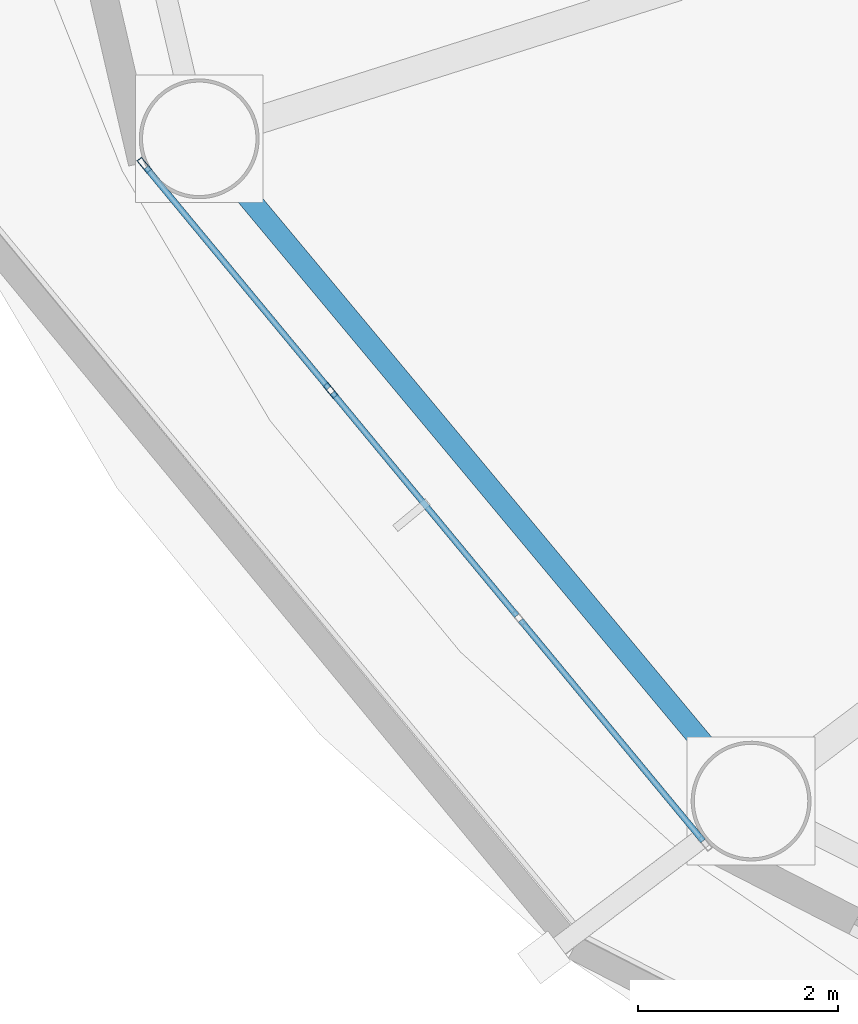
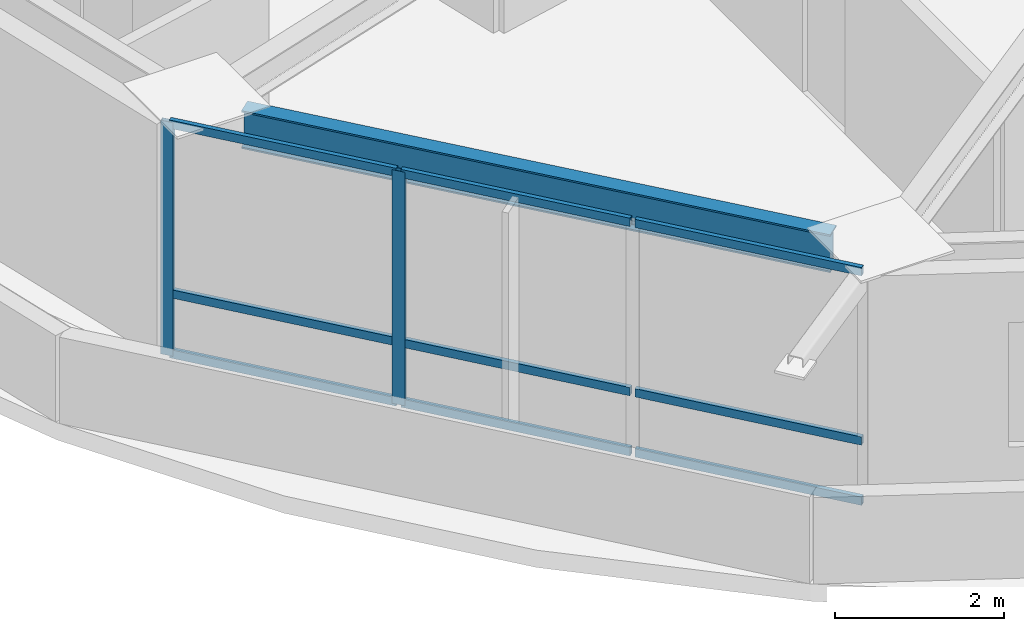
# One storey, part 3 of 27: 11 members, 1 beam, 1 element without a shape of its own.
"""IFC4 building model written with IfcOpenShell, lengths in metres."""

from ifc_helpers import new_model, si_unit, direction, frame, origin, origin_2d, place, context, subcontext, project, spatial, hollow_rectangle, i_section, extrude, material, layer, layer_set, material_profile, profile_set, type_object, element, aggregate, save


model = new_model("IFC4")

# Units and contexts
model_context = context("Model", 3, precision=1e-05, world=origin(), true_north=direction((0.0, 1.0)))
body_context = subcontext(model_context, "Body", "Model", "MODEL_VIEW")
ifc_project = project(units=[si_unit("LENGTHUNIT", "METRE"), si_unit("AREAUNIT", "SQUARE_METRE"), si_unit("VOLUMEUNIT", "CUBIC_METRE"), si_unit("PLANEANGLEUNIT", "RADIAN"), si_unit("MASSUNIT", "GRAM", prefix="KILO")], contexts=[model_context])

# Site, building, storey
site_placement = place(None, origin())
site = spatial("IfcSite", under=ifc_project, at=site_placement, CompositionType="ELEMENT")
building_placement = place(site_placement, origin())
building = spatial("IfcBuilding", under=site, at=building_placement, Name="Sarneth Arch Tower", CompositionType="ELEMENT")
storey_placement = place(building_placement, frame((0.0, 0.0, 150.60009765625)))
storey = spatial("IfcBuildingStorey", under=building, at=storey_placement, Name="L37", CompositionType="ELEMENT", Elevation=150.60009765625)

# Beam
ifc_material_1 = material(Name="Steel S355", Category="steel")
ifc_material_profile_1 = material_profile(ifc_material_1, i_section(OverallWidth=0.214111328125, OverallDepth=0.549072265625, WebThickness=0.0146484375, FlangeThickness=0.023681640625, FilletRadius=0.01806640625, at=origin_2d()), Name="W530x138")
ifc_profile_set_1 = profile_set([ifc_material_profile_1], Name="Steel S355")
beam_type = type_object("IfcBeamType", Name="BM-RAD-530A", PredefinedType="BEAM", material=ifc_profile_set_1)
beam_placement = place(storey_placement, frame((23.721923828125, 33.713134765625, 3.10546875), z_axis=(0.640161793626, -0.768240117399, 0.0), x_axis=(0.768240117399, 0.640161793626, 0.0)))
element("IfcBeam", 1, at=beam_placement, inside=storey, type_object=beam_type, Name="L37 Perimeter spandrel beam 10", PredefinedType="BEAM", context=body_context, shape_type="SweptSolid", body=[
    extrude(i_section(OverallWidth=0.214111328125, OverallDepth=0.549072265625, WebThickness=0.0146484375, FlangeThickness=0.023681640625, FilletRadius=0.01806640625, at=origin_2d()), origin(), (0.0, 0.0, 1.0), 7.43603515625),
])

# Curtain wall, members
ifc_material_2 = material(Name="Anodised aluminium Type AA25 and solar-control low-e laminated IGU", Category="aluminium")
ifc_layer = layer(ifc_material_2, 0.169921875)
ifc_layer_set = layer_set([ifc_layer], Name="Anodised aluminium Type AA25 and solar-control low-e laminated IGU")
curtain_wall_type = type_object("IfcCurtainWallType", Name="CW-RES-MID", PredefinedType="NOTDEFINED", material=ifc_layer_set)
curtain_wall_placement = place(storey_placement, origin())
curtain_wall = element("IfcCurtainWall", 2, at=curtain_wall_placement, inside=storey, type_object=curtain_wall_type, Name="L37 Unitised curtain wall facet 10", PredefinedType="NOTDEFINED")
ifc_material_3 = material(Name="Anodised Aluminium 6063-T6", Category="aluminium")
ifc_material_profile_2 = material_profile(ifc_material_3, hollow_rectangle(XDim=0.06005859375, YDim=0.159912109375, WallThickness=0.00390625, at=origin_2d()), Name="AL-MULL-160x60x4")
ifc_profile_set_2 = profile_set([ifc_material_profile_2], Name="Anodised Aluminium 6063-T6")
member_type_1 = type_object("IfcMemberType", Name="CW-MULLION", PredefinedType="MULLION", material=ifc_profile_set_2)
member_1_placement = place(storey_placement, frame((22.786865234375, 33.909912109375, 0.0), z_axis=(0.0, 0.0, 1.0), x_axis=(0.770590741276, 0.637330298558, 0.0)))
member_1 = element("IfcMember", 3, at=member_1_placement, type_object=member_type_1, Name="CW-SYS-5 mullion 1", PredefinedType="MULLION", context=body_context, shape_type="SweptSolid", body=[
    extrude(hollow_rectangle(XDim=0.06005859375, YDim=0.159912109375, WallThickness=0.00390625, at=origin_2d()), origin(), (0.0, 0.0, 1.0), 3.3798828125),
])
member_2_placement = place(storey_placement, frame((24.653076171875, 31.6533203125, 0.0), z_axis=(0.0, 0.0, 1.0), x_axis=(0.770590741276, 0.637330298558, 0.0)))
member_2 = element("IfcMember", 4, at=member_2_placement, type_object=member_type_1, Name="CW-SYS-5 mullion 2", PredefinedType="MULLION", context=body_context, shape_type="SweptSolid", body=[
    extrude(hollow_rectangle(XDim=0.06005859375, YDim=0.159912109375, WallThickness=0.00390625, at=origin_2d()), origin(), (0.0, 0.0, 1.0), 3.3798828125),
])
ifc_material_4 = material(Name="Anodised Aluminium 6063-T6", Category="aluminium")
ifc_material_profile_3 = material_profile(ifc_material_4, hollow_rectangle(XDim=0.06005859375, YDim=0.1201171875, WallThickness=0.00390625, at=origin_2d()), Name="AL-TRAN-120x60x4")
ifc_profile_set_3 = profile_set([ifc_material_profile_3], Name="Anodised Aluminium 6063-T6")
member_type_2 = type_object("IfcMemberType", Name="CW-TRANSOM", PredefinedType="USERDEFINED", material=ifc_profile_set_3)
member_3_placement = place(storey_placement, frame((22.805908203125, 33.88671875, 0.02978515625), z_axis=(0.637358651504, -0.770567290607, 0.0), x_axis=(0.770567290607, 0.637358651504, 0.0)))
member_3 = element("IfcMember", 5, at=member_3_placement, type_object=member_type_2, Name="CW-SYS-5 transom 1.1", ObjectType="TRANSOM", PredefinedType="USERDEFINED", context=body_context, shape_type="SweptSolid", body=[
    extrude(hollow_rectangle(XDim=0.06005859375, YDim=0.1201171875, WallThickness=0.00390625, at=origin_2d()), origin(), (0.0, 0.0, 1.0), 2.8681640625),
])
member_4_placement = place(storey_placement, frame((22.805908203125, 33.88671875, 0.89990234375), z_axis=(0.637358651504, -0.770567290607, 0.0), x_axis=(0.770567290607, 0.637358651504, 0.0)))
member_4 = element("IfcMember", 6, at=member_4_placement, type_object=member_type_2, Name="CW-SYS-5 transom 1.2", ObjectType="TRANSOM", PredefinedType="USERDEFINED", context=body_context, shape_type="SweptSolid", body=[
    extrude(hollow_rectangle(XDim=0.06005859375, YDim=0.1201171875, WallThickness=0.00390625, at=origin_2d()), origin(), (0.0, 0.0, 1.0), 2.8681640625),
])
member_5_placement = place(storey_placement, frame((22.805908203125, 33.88671875, 3.349853515625), z_axis=(0.637358651504, -0.770567290607, 0.0), x_axis=(0.770567290607, 0.637358651504, 0.0)))
member_5 = element("IfcMember", 7, at=member_5_placement, type_object=member_type_2, Name="CW-SYS-5 transom 1.3", ObjectType="TRANSOM", PredefinedType="USERDEFINED", context=body_context, shape_type="SweptSolid", body=[
    extrude(hollow_rectangle(XDim=0.06005859375, YDim=0.1201171875, WallThickness=0.00390625, at=origin_2d()), origin(), (0.0, 0.0, 1.0), 2.8681640625),
])
member_6_placement = place(storey_placement, frame((24.672119140625, 31.63037109375, 0.02978515625), z_axis=(0.637329777791, -0.770591171985, 0.0), x_axis=(0.770591171985, 0.637329777791, 0.0)))
member_6 = element("IfcMember", 8, at=member_6_placement, type_object=member_type_2, Name="CW-SYS-5 transom 2.1", ObjectType="TRANSOM", PredefinedType="USERDEFINED", context=body_context, shape_type="SweptSolid", body=[
    extrude(hollow_rectangle(XDim=0.06005859375, YDim=0.1201171875, WallThickness=0.00390625, at=origin_2d()), origin(), (0.0, 0.0, 1.0), 2.898193359375),
])
member_7_placement = place(storey_placement, frame((24.672119140625, 31.63037109375, 0.89990234375), z_axis=(0.637329777791, -0.770591171985, 0.0), x_axis=(0.770591171985, 0.637329777791, 0.0)))
member_7 = element("IfcMember", 9, at=member_7_placement, type_object=member_type_2, Name="CW-SYS-5 transom 2.2", ObjectType="TRANSOM", PredefinedType="USERDEFINED", context=body_context, shape_type="SweptSolid", body=[
    extrude(hollow_rectangle(XDim=0.06005859375, YDim=0.1201171875, WallThickness=0.00390625, at=origin_2d()), origin(), (0.0, 0.0, 1.0), 2.898193359375),
])
member_8_placement = place(storey_placement, frame((24.672119140625, 31.63037109375, 3.349853515625), z_axis=(0.637329777791, -0.770591171985, 0.0), x_axis=(0.770591171985, 0.637329777791, 0.0)))
member_8 = element("IfcMember", 10, at=member_8_placement, type_object=member_type_2, Name="CW-SYS-5 transom 2.3", ObjectType="TRANSOM", PredefinedType="USERDEFINED", context=body_context, shape_type="SweptSolid", body=[
    extrude(hollow_rectangle(XDim=0.06005859375, YDim=0.1201171875, WallThickness=0.00390625, at=origin_2d()), origin(), (0.0, 0.0, 1.0), 2.898193359375),
])
member_9_placement = place(storey_placement, frame((26.5576171875, 29.3505859375, 0.02978515625), z_axis=(0.637358651504, -0.770567290607, 0.0), x_axis=(0.770567290607, 0.637358651504, 0.0)))
member_9 = element("IfcMember", 11, at=member_9_placement, type_object=member_type_2, Name="CW-SYS-5 transom 3.1", ObjectType="TRANSOM", PredefinedType="USERDEFINED", context=body_context, shape_type="SweptSolid", body=[
    extrude(hollow_rectangle(XDim=0.06005859375, YDim=0.1201171875, WallThickness=0.00390625, at=origin_2d()), origin(), (0.0, 0.0, 1.0), 2.8681640625),
])
member_10_placement = place(storey_placement, frame((26.5576171875, 29.3505859375, 0.89990234375), z_axis=(0.637358651504, -0.770567290607, 0.0), x_axis=(0.770567290607, 0.637358651504, 0.0)))
member_10 = element("IfcMember", 12, at=member_10_placement, type_object=member_type_2, Name="CW-SYS-5 transom 3.2", ObjectType="TRANSOM", PredefinedType="USERDEFINED", context=body_context, shape_type="SweptSolid", body=[
    extrude(hollow_rectangle(XDim=0.06005859375, YDim=0.1201171875, WallThickness=0.00390625, at=origin_2d()), origin(), (0.0, 0.0, 1.0), 2.8681640625),
])
member_11_placement = place(storey_placement, frame((26.5576171875, 29.3505859375, 3.349853515625), z_axis=(0.637358651504, -0.770567290607, 0.0), x_axis=(0.770567290607, 0.637358651504, 0.0)))
member_11 = element("IfcMember", 13, at=member_11_placement, type_object=member_type_2, Name="CW-SYS-5 transom 3.3", ObjectType="TRANSOM", PredefinedType="USERDEFINED", context=body_context, shape_type="SweptSolid", body=[
    extrude(hollow_rectangle(XDim=0.06005859375, YDim=0.1201171875, WallThickness=0.00390625, at=origin_2d()), origin(), (0.0, 0.0, 1.0), 2.8681640625),
])
aggregate(curtain_wall, [member_1, member_2, member_3, member_4, member_5, member_6, member_7, member_8, member_9, member_10, member_11])

save(model, "model.ifc")
